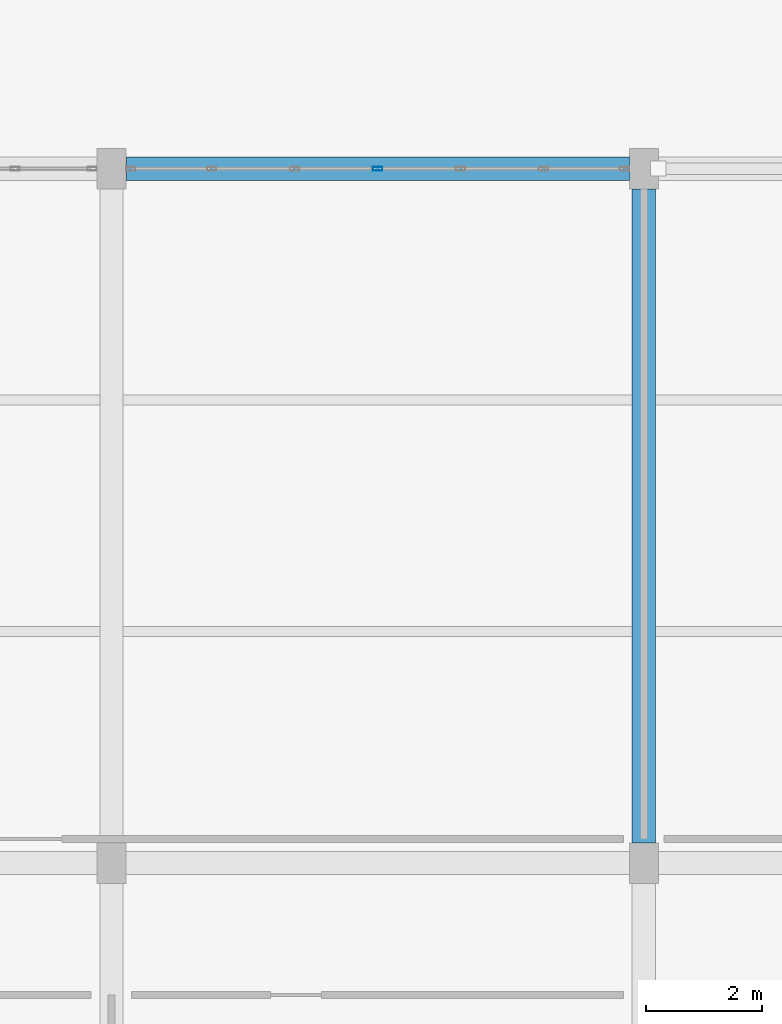
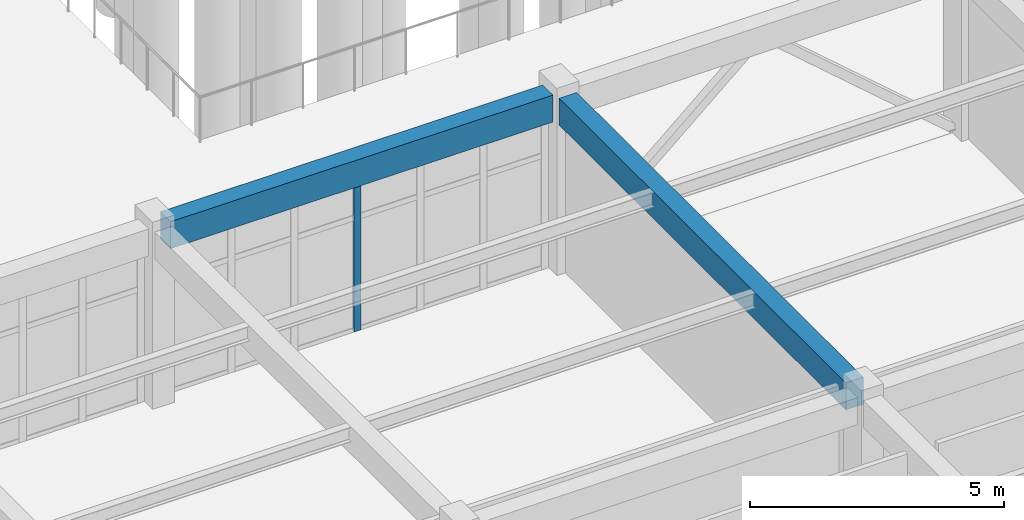
# One storey, part 37 of 154: 2 beams, 1 member, 1 element without a shape of its own.
"""IFC4 building model written with IfcOpenShell, lengths in metres."""

from ifc_helpers import new_model, si_unit, direction, frame, origin, origin_2d, place, context, subcontext, project, spatial, rectangle, hollow_rectangle, extrude, material, material_profile, profile_set, type_object, element, aggregate, save


model = new_model("IFC4")

# Units and contexts
model_context = context("Model", 3, precision=1e-05, world=origin(), true_north=direction((0.0, 1.0)))
body_context = subcontext(model_context, "Body", "Model", "MODEL_VIEW")
ifc_project = project(units=[si_unit("LENGTHUNIT", "METRE"), si_unit("AREAUNIT", "SQUARE_METRE"), si_unit("VOLUMEUNIT", "CUBIC_METRE"), si_unit("PLANEANGLEUNIT", "RADIAN"), si_unit("MASSUNIT", "GRAM", prefix="KILO")], contexts=[model_context])

# Site, building, storey
site_placement = place(None, origin())
site = spatial("IfcSite", under=ifc_project, at=site_placement, CompositionType="ELEMENT")
building_placement = place(site_placement, origin())
building = spatial("IfcBuilding", under=site, at=building_placement, Name="Kestramere Prow Commons", CompositionType="ELEMENT")
storey_placement = place(building_placement, origin())
storey = spatial("IfcBuildingStorey", under=building, at=storey_placement, Name="L00", CompositionType="ELEMENT", Elevation=0.0)

# Beams
ifc_material_1 = material(Name="Precast concrete C40/50", Category="concrete")
ifc_material_profile_1 = material_profile(ifc_material_1, rectangle(XDim=0.39990234375, YDim=0.64990234375, at=origin_2d()), Name="PC-BM 400x650")
ifc_profile_set_1 = profile_set([ifc_material_profile_1], Name="Precast concrete C40/50")
beam_type_1 = type_object("IfcBeamType", Name="BM-MK-01 PC-BM 400x650", PredefinedType="BEAM", material=ifc_profile_set_1)
beam_1_placement = place(storey_placement, frame((85.0, 12.35009765625, 3.925048828125), z_axis=(0.0, 1.0, 0.0), x_axis=(-1.0, 0.0, 0.0)))
element("IfcBeam", 1, at=beam_1_placement, inside=storey, type_object=beam_type_1, Name="Market Spine L00 Beam Y 4-2", PredefinedType="BEAM", context=body_context, shape_type="SweptSolid", body=[
    extrude(rectangle(XDim=0.39990234375, YDim=0.64990234375, at=origin_2d()), origin(), (0.0, 0.0, 1.0), 11.2998046875),
])
ifc_material_profile_2 = material_profile(ifc_material_1, rectangle(XDim=0.39990234375, YDim=0.64990234375, at=origin_2d()), Name="PC-BM 400x650")
ifc_profile_set_2 = profile_set([ifc_material_profile_2], Name="Precast concrete C40/50")
beam_type_2 = type_object("IfcBeamType", Name="BM-MK-01 PC-BM 400x650 (EX)", PredefinedType="BEAM", material=ifc_profile_set_2)
beam_2_placement = place(storey_placement, frame((76.050048828125, 24.0, 3.925048828125), z_axis=(1.0, 0.0, 0.0), x_axis=(0.0, 1.0, 0.0)))
element("IfcBeam", 2, at=beam_2_placement, inside=storey, type_object=beam_type_2, Name="Market Spine L00 Beam X 3-3", PredefinedType="BEAM", context=body_context, shape_type="SweptSolid", body=[
    extrude(rectangle(XDim=0.39990234375, YDim=0.64990234375, at=origin_2d()), origin(), (0.0, 0.0, 1.0), 8.699951171875),
])

# Curtain wall, member
ifc_material_2 = material(Name="Anodised Aluminium and Low-E Glass", Category="aluminium")
curtain_wall_type = type_object("IfcCurtainWallType", Name="CW-21 Glazed Curtain Wall 8600x3590", PredefinedType="USERDEFINED", material=ifc_material_2)
curtain_wall_placement = place(storey_placement, origin())
curtain_wall = element("IfcCurtainWall", 3, at=curtain_wall_placement, inside=storey, type_object=curtain_wall_type, Name="Market L00 Courtyard Shopfront 3", ObjectType="GLAZED CURTAIN WALL", PredefinedType="USERDEFINED")
ifc_material_3 = material(Name="Anodised Aluminium 6063-T6", Category="aluminium")
ifc_material_profile_3 = material_profile(ifc_material_3, hollow_rectangle(XDim=0.06494140625, YDim=0.159912109375, WallThickness=0.00390625, at=origin_2d()), Name="ALU-MUL 65x160")
ifc_profile_set_3 = profile_set([ifc_material_profile_3], Name="Anodised Aluminium 6063-T6")
member_type = type_object("IfcMemberType", Name="CW-MUL-65x160", PredefinedType="MULLION", material=ifc_profile_set_3)
member_placement = place(storey_placement, frame((80.39990234375, 24.0, 0.0), z_axis=(0.0, 0.0, 1.0), x_axis=(0.0, 1.0, 0.0)))
member = element("IfcMember", 4, at=member_placement, type_object=member_type, Name="CW-21 mullion 4", PredefinedType="MULLION", context=body_context, shape_type="SweptSolid", body=[
    extrude(hollow_rectangle(XDim=0.06494140625, YDim=0.159912109375, WallThickness=0.00390625, at=origin_2d()), origin(), (0.0, 0.0, 1.0), 3.590087890625),
])
aggregate(curtain_wall, [member])

save(model, "model.ifc")
